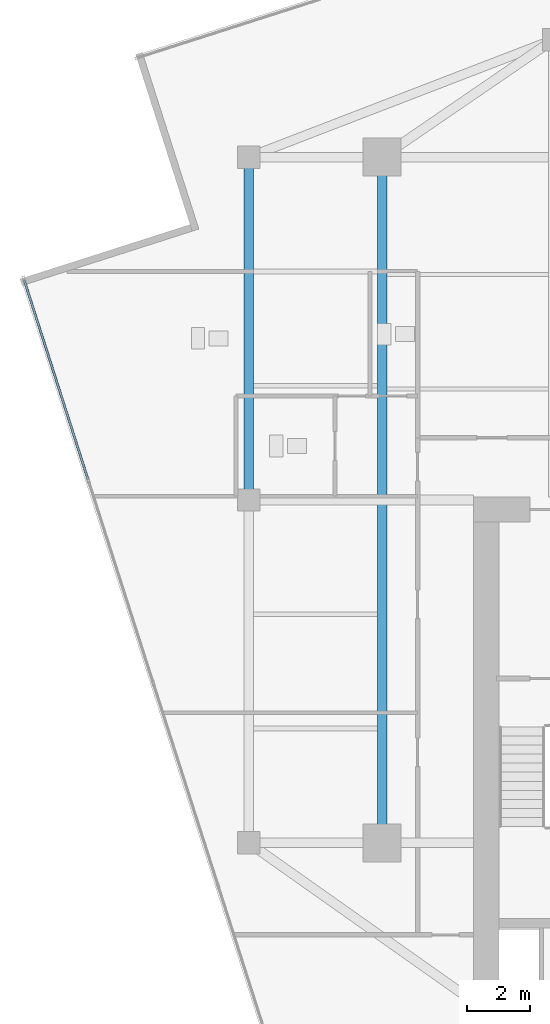
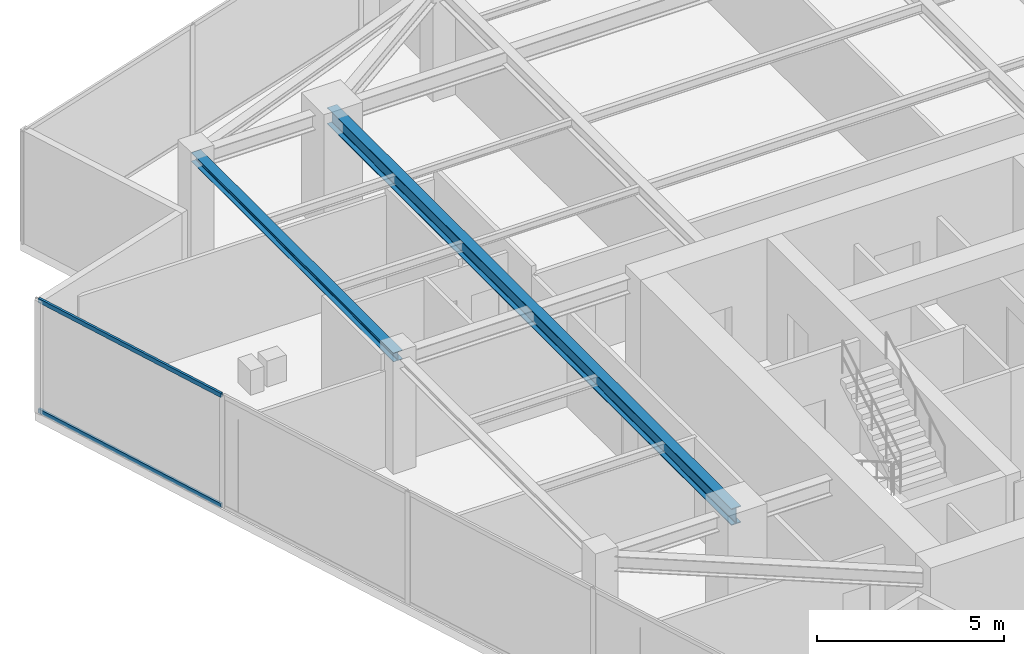
# One storey, part 6 of 21: 2 beams, 2 members, 1 element without a shape of its own.
"""IFC4 building model written with IfcOpenShell, lengths in metres."""

from ifc_helpers import new_model, si_unit, direction, frame, origin, origin_2d, place, context, subcontext, project, spatial, hollow_rectangle, i_section, extrude, source, transform, mapped, material, material_profile, profile_set, type_object, type_shapes, element, aggregate, save


model = new_model("IFC4")

# Units and contexts
model_context = context("Model", 3, precision=1e-05, world=origin(), true_north=direction((0.0, 1.0)))
body_context = subcontext(model_context, "Body", "Model", "MODEL_VIEW")
ifc_project = project(units=[si_unit("LENGTHUNIT", "METRE"), si_unit("AREAUNIT", "SQUARE_METRE"), si_unit("VOLUMEUNIT", "CUBIC_METRE"), si_unit("PLANEANGLEUNIT", "RADIAN"), si_unit("MASSUNIT", "GRAM", prefix="KILO")], contexts=[model_context])

# Site, building, storey
site_placement = place(None, origin())
site = spatial("IfcSite", under=ifc_project, at=site_placement, CompositionType="ELEMENT")
building_placement = place(site_placement, origin())
building = spatial("IfcBuilding", under=site, at=building_placement, Name="Krantzveldt Concourse Tower", CompositionType="ELEMENT")
storey_placement = place(building_placement, frame((0.0, 0.0, 343.5)))
storey = spatial("IfcBuildingStorey", under=building, at=storey_placement, Name="L84", CompositionType="ELEMENT", Elevation=343.5)

# Beams
ifc_material_1 = material(Name="Steel S355JR", Category="steel")
ifc_material_profile_1 = material_profile(ifc_material_1, i_section(OverallWidth=0.300048828125, OverallDepth=0.5400390625, WebThickness=0.012451171875, FlangeThickness=0.02392578125, FilletRadius=0.027099609375, at=origin_2d()), Name="Steel S355JR", Category="steel")
ifc_profile_set_1 = profile_set([ifc_material_profile_1], Name="Steel S355JR - HEA 550")
beam_type_1 = type_object("IfcBeamType", Name="BM-B-HEA550", PredefinedType="BEAM", material=ifc_profile_set_1)
shared_shape_1 = source(origin(), body_context, "Body", "SweptSolid", [
    extrude(i_section(OverallWidth=0.300048828125, OverallDepth=0.5400390625, WebThickness=0.012451171875, FlangeThickness=0.02392578125, FilletRadius=0.027099609375, at=origin_2d()), origin(), (0.0, 0.0, 1.0), 21.60009765625),
])
type_shapes(beam_type_1, [shared_shape_1])
beam_1_placement = place(storey_placement, frame((25.199951171875, 15.89990234375, 3.39990234375), z_axis=(0.0, 1.0, 0.0), x_axis=(-1.0, 0.0, 0.0)))
element("IfcBeam", 1, at=beam_1_placement, inside=storey, type_object=beam_type_1, Name="L84 Tower Girder BG-MW", PredefinedType="BEAM", context=body_context, shape_type="MappedRepresentation", body=[
    mapped(shared_shape_1, transform((0.0, 0.0, 0.0), x_axis=(1.0, 0.0, 0.0), y_axis=(0.0, 1.0, 0.0), z_axis=(0.0, 0.0, 1.0), scale=1.0)),
])
ifc_material_profile_2 = material_profile(ifc_material_1, i_section(OverallWidth=0.2900390625, OverallDepth=0.2900390625, WebThickness=0.008544921875, FlangeThickness=0.013916015625, FilletRadius=0.027099609375, at=origin_2d()), Name="Steel S355JR", Category="steel")
ifc_profile_set_2 = profile_set([ifc_material_profile_2], Name="Steel S355JR - HEA 300")
beam_type_2 = type_object("IfcBeamType", Name="BM-SP-HEA300", PredefinedType="SPANDREL", material=ifc_profile_set_2)
shared_shape_2 = source(origin(), body_context, "Body", "SweptSolid", [
    extrude(i_section(OverallWidth=0.2900390625, OverallDepth=0.2900390625, WebThickness=0.008544921875, FlangeThickness=0.013916015625, FilletRadius=0.027099609375, at=origin_2d()), origin(), (0.0, 0.0, 1.0), 10.800048828125),
])
type_shapes(beam_type_2, [shared_shape_2])
beam_2_placement = place(storey_placement, frame((21.0, 26.699951171875, 3.52490234375), z_axis=(0.0, 1.0, 0.0), x_axis=(-1.0, 0.0, 0.0)))
element("IfcBeam", 2, at=beam_2_placement, inside=storey, type_object=beam_type_2, Name="L84 Tower Girder SP-R02", PredefinedType="SPANDREL", context=body_context, shape_type="MappedRepresentation", body=[
    mapped(shared_shape_2, transform((0.0, 0.0, 0.0), x_axis=(1.0, 0.0, 0.0), y_axis=(0.0, 1.0, 0.0), z_axis=(0.0, 0.0, 1.0), scale=1.0)),
])

# Curtain wall, members
ifc_material_2 = material(Name="Anodised aluminium 6063-T6", Category="aluminium")
curtain_wall_type = type_object("IfcCurtainWallType", Name="CW4", PredefinedType="USERDEFINED", material=ifc_material_2)
curtain_wall_placement = place(storey_placement, origin())
curtain_wall = element("IfcCurtainWall", 3, at=curtain_wall_placement, inside=storey, type_object=curtain_wall_type, Name="CW-L84-F04", ObjectType="UNITISED CURTAIN WALL", PredefinedType="USERDEFINED")
ifc_material_profile_3 = material_profile(ifc_material_2, hollow_rectangle(XDim=0.070068359375, YDim=0.139892578125, WallThickness=0.0048828125, at=origin_2d()), Name="Anodised aluminium 6063-T6", Category="aluminium")
ifc_profile_set_3 = profile_set([ifc_material_profile_3], Name="Anodised aluminium 6063-T6 - ALU-TRAN 140x70x5")
member_type = type_object("IfcMemberType", Name="CW-TRN-150", PredefinedType="USERDEFINED", material=ifc_profile_set_3)
shared_shape_3 = source(origin(), body_context, "Body", "SweptSolid", [
    extrude(hollow_rectangle(XDim=0.070068359375, YDim=0.139892578125, WallThickness=0.0048828125, at=origin_2d()), origin(), (0.0, 0.0, 1.0), 6.594970703125),
])
type_shapes(member_type, [shared_shape_3])
member_1_placement = place(storey_placement, frame((13.92626953125, 33.63037109375, 0.034912109375), z_axis=(0.304888555035, -0.952388034894, 0.0), x_axis=(0.952388034894, 0.304888555035, 0.0)))
member_1 = element("IfcMember", 4, at=member_1_placement, type_object=member_type, Name="CW-Z56 transom 1.1", ObjectType="TRANSOM", PredefinedType="USERDEFINED", context=body_context, shape_type="MappedRepresentation", body=[
    mapped(shared_shape_3, transform((0.0, 0.0, 0.0), x_axis=(1.0, 0.0, 0.0), y_axis=(0.0, 1.0, 0.0), z_axis=(0.0, 0.0, 1.0), scale=1.0)),
])
member_2_placement = place(storey_placement, frame((13.92626953125, 33.63037109375, 3.635009765625), z_axis=(0.304888555035, -0.952388034894, 0.0), x_axis=(0.952388034894, 0.304888555035, 0.0)))
member_2 = element("IfcMember", 5, at=member_2_placement, type_object=member_type, Name="CW-Z56 transom 1.2", ObjectType="TRANSOM", PredefinedType="USERDEFINED", context=body_context, shape_type="MappedRepresentation", body=[
    mapped(shared_shape_3, transform((0.0, 0.0, 0.0), x_axis=(1.0, 0.0, 0.0), y_axis=(0.0, 1.0, 0.0), z_axis=(0.0, 0.0, 1.0), scale=1.0)),
])
aggregate(curtain_wall, [member_1, member_2])

save(model, "model.ifc")
